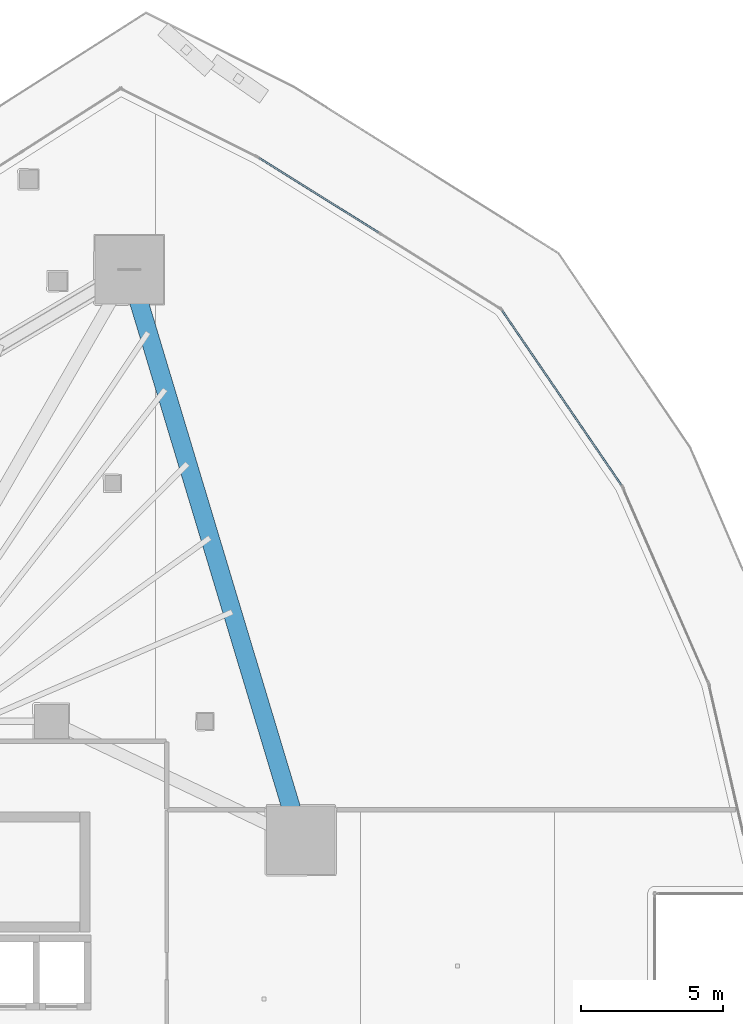
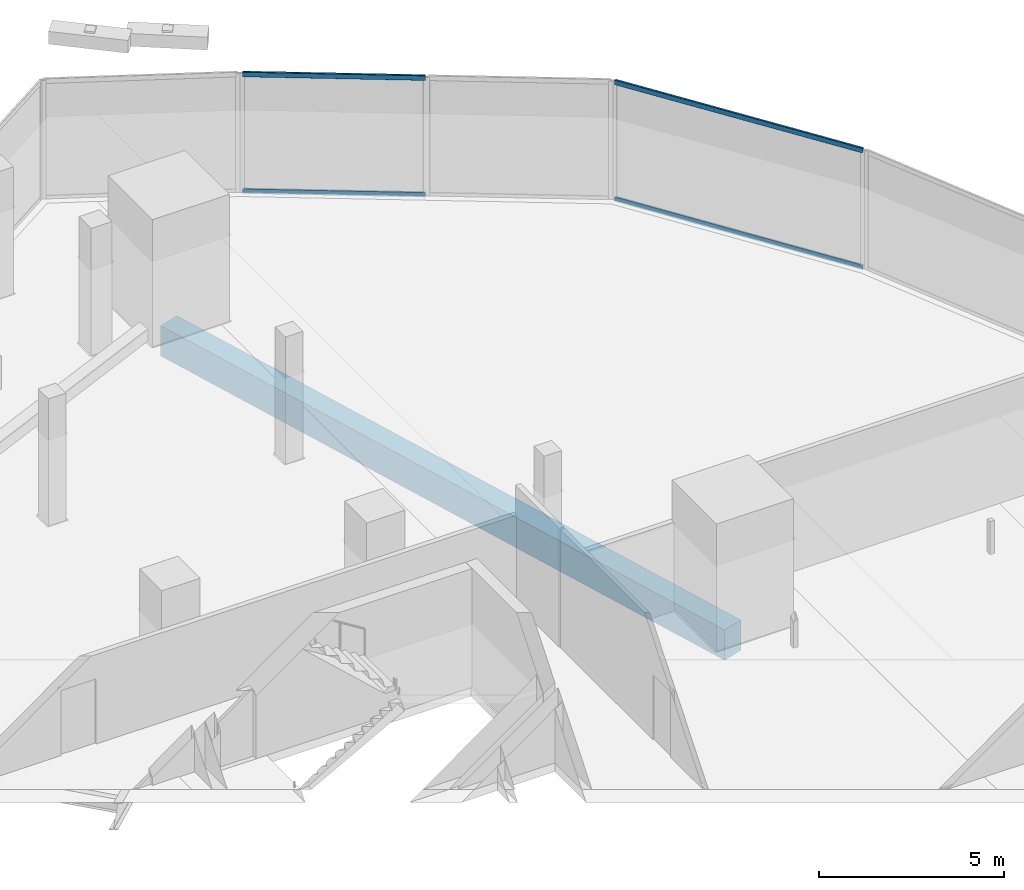
# One storey, part 21 of 43: 4 members, 1 beam, 2 elements without a shape of their own.
"""IFC4 building model written with IfcOpenShell, lengths in metres."""

from ifc_helpers import new_model, si_unit, direction, frame, origin, origin_2d, place, context, subcontext, project, spatial, rectangle, hollow_rectangle, extrude, material, layer, layer_set, material_profile, profile_set, type_object, element, aggregate, save


model = new_model("IFC4")

# Units and contexts
model_context = context("Model", 3, precision=1e-05, world=origin(), true_north=direction((0.0, 1.0)))
body_context = subcontext(model_context, "Body", "Model", "MODEL_VIEW")
ifc_project = project(units=[si_unit("LENGTHUNIT", "METRE"), si_unit("AREAUNIT", "SQUARE_METRE"), si_unit("VOLUMEUNIT", "CUBIC_METRE"), si_unit("PLANEANGLEUNIT", "RADIAN"), si_unit("MASSUNIT", "GRAM", prefix="KILO")], contexts=[model_context])

# Site, building, storey
site_placement = place(None, origin())
site = spatial("IfcSite", under=ifc_project, at=site_placement, CompositionType="ELEMENT")
building_placement = place(site_placement, origin())
building = spatial("IfcBuilding", under=site, at=building_placement, Name="Qorvath Tower", CompositionType="ELEMENT")
storey_placement = place(building_placement, frame((0.0, 0.0, 36.60009765625)))
storey = spatial("IfcBuildingStorey", under=building, at=storey_placement, Name="L07", CompositionType="ELEMENT", Elevation=36.60009765625)

# Beam
ifc_material_1 = material(Name="Concrete C50/60", Category="concrete")
ifc_material_profile_1 = material_profile(ifc_material_1, rectangle(XDim=0.64990234375, YDim=1.0, at=origin_2d()), Name="RCB 1000x650")
ifc_profile_set_1 = profile_set([ifc_material_profile_1], Name="Concrete C50/60")
beam_type = type_object("IfcBeamType", Name="BM-RCB1", PredefinedType="SPANDREL", material=ifc_profile_set_1)
beam_placement = place(storey_placement, frame((-8.430419921875, 7.2763671875, -0.780029296875), z_axis=(-0.288118908799, 0.957594639914, 0.0), x_axis=(-0.957594639914, -0.288118908799, 0.0)))
element("IfcBeam", 1, at=beam_placement, inside=storey, type_object=beam_type, Name="Perimeter Loggia Frame Beam MC5-MC6 L07", PredefinedType="SPANDREL", context=body_context, shape_type="SweptSolid", body=[
    extrude(rectangle(XDim=0.64990234375, YDim=1.0, at=origin_2d()), origin(), (0.0, 0.0, 1.0), 20.942626953125),
])

# Curtain wall, members
ifc_material_2 = material(Name="Anodised aluminium and triple low-E glass", Category="aluminium")
ifc_layer = layer(ifc_material_2, 0.179931640625)
ifc_layer_set = layer_set([ifc_layer], Name="CW-SYS-2")
curtain_wall_type = type_object("IfcCurtainWallType", Name="CW-SYS-2", PredefinedType="NOTDEFINED", material=ifc_layer_set)
curtain_wall_1_placement = place(storey_placement, origin())
curtain_wall_1 = element("IfcCurtainWall", 2, at=curtain_wall_1_placement, inside=storey, type_object=curtain_wall_type, Name="Curtain Wall CW-2 CW-T-L07-13.1", PredefinedType="NOTDEFINED")
ifc_material_3 = material(Name="Anodised aluminium 6063-T6", Category="aluminium")
ifc_material_profile_2 = material_profile(ifc_material_3, hollow_rectangle(XDim=0.06494140625, YDim=0.159912109375, WallThickness=0.00341796875, InnerFilletRadius=0.00341796875, OuterFilletRadius=0.007080078125, at=origin_2d()), Name="CWT 160x65")
ifc_profile_set_2 = profile_set([ifc_material_profile_2], Name="Anodised aluminium 6063-T6")
member_type = type_object("IfcMemberType", Name="CWT-160", PredefinedType="USERDEFINED", material=ifc_profile_set_2)
member_1_placement = place(storey_placement, frame((2.836669921875, 19.751708984375, 0.032470703125), z_axis=(-0.563875869111, 0.825859554788, 0.0), x_axis=(-0.825859554788, -0.563875869111, 0.0)))
member_1 = element("IfcMember", 3, at=member_1_placement, type_object=member_type, Name="CW-2 transom 1.1", ObjectType="TRANSOM", PredefinedType="USERDEFINED", context=body_context, shape_type="SweptSolid", body=[
    extrude(hollow_rectangle(XDim=0.06494140625, YDim=0.159912109375, WallThickness=0.00341796875, InnerFilletRadius=0.00341796875, OuterFilletRadius=0.007080078125, at=origin_2d()), origin(), (0.0, 0.0, 1.0), 7.432861328125),
])
member_2_placement = place(storey_placement, frame((2.836669921875, 19.751708984375, 3.887451171875), z_axis=(-0.563875869111, 0.825859554788, 0.0), x_axis=(-0.825859554788, -0.563875869111, 0.0)))
member_2 = element("IfcMember", 4, at=member_2_placement, type_object=member_type, Name="CW-2 transom 1.2", ObjectType="TRANSOM", PredefinedType="USERDEFINED", context=body_context, shape_type="SweptSolid", body=[
    extrude(hollow_rectangle(XDim=0.06494140625, YDim=0.159912109375, WallThickness=0.00341796875, InnerFilletRadius=0.00341796875, OuterFilletRadius=0.007080078125, at=origin_2d()), origin(), (0.0, 0.0, 1.0), 7.432861328125),
])
aggregate(curtain_wall_1, [member_1, member_2])

curtain_wall_2_placement = place(storey_placement, origin())
curtain_wall_2 = element("IfcCurtainWall", 5, at=curtain_wall_2_placement, inside=storey, type_object=curtain_wall_type, Name="Curtain Wall CW-2 CW-T-L07-14.1", PredefinedType="NOTDEFINED")
member_3_placement = place(storey_placement, frame((-5.699462890625, 28.635009765625, 0.032470703125), z_axis=(-0.848142359621, 0.529768381292, 0.0), x_axis=(-0.529768381292, -0.848142359621, 0.0)))
member_3 = element("IfcMember", 6, at=member_3_placement, type_object=member_type, Name="CW-2 transom 2.1", ObjectType="TRANSOM", PredefinedType="USERDEFINED", context=body_context, shape_type="SweptSolid", body=[
    extrude(hollow_rectangle(XDim=0.06494140625, YDim=0.159912109375, WallThickness=0.00341796875, InnerFilletRadius=0.00341796875, OuterFilletRadius=0.007080078125, at=origin_2d()), origin(), (0.0, 0.0, 1.0), 4.949951171875),
])
member_4_placement = place(storey_placement, frame((-5.699462890625, 28.635009765625, 3.887451171875), z_axis=(-0.848142359621, 0.529768381292, 0.0), x_axis=(-0.529768381292, -0.848142359621, 0.0)))
member_4 = element("IfcMember", 7, at=member_4_placement, type_object=member_type, Name="CW-2 transom 2.2", ObjectType="TRANSOM", PredefinedType="USERDEFINED", context=body_context, shape_type="SweptSolid", body=[
    extrude(hollow_rectangle(XDim=0.06494140625, YDim=0.159912109375, WallThickness=0.00341796875, InnerFilletRadius=0.00341796875, OuterFilletRadius=0.007080078125, at=origin_2d()), origin(), (0.0, 0.0, 1.0), 4.949951171875),
])
aggregate(curtain_wall_2, [member_3, member_4])

save(model, "model.ifc")
